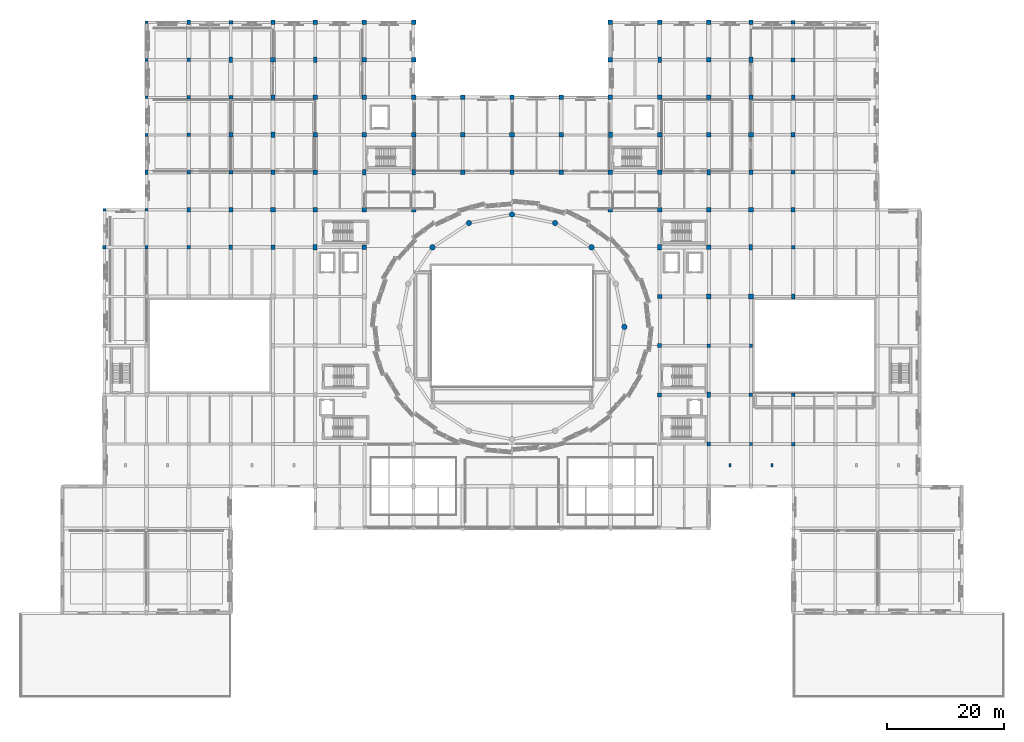
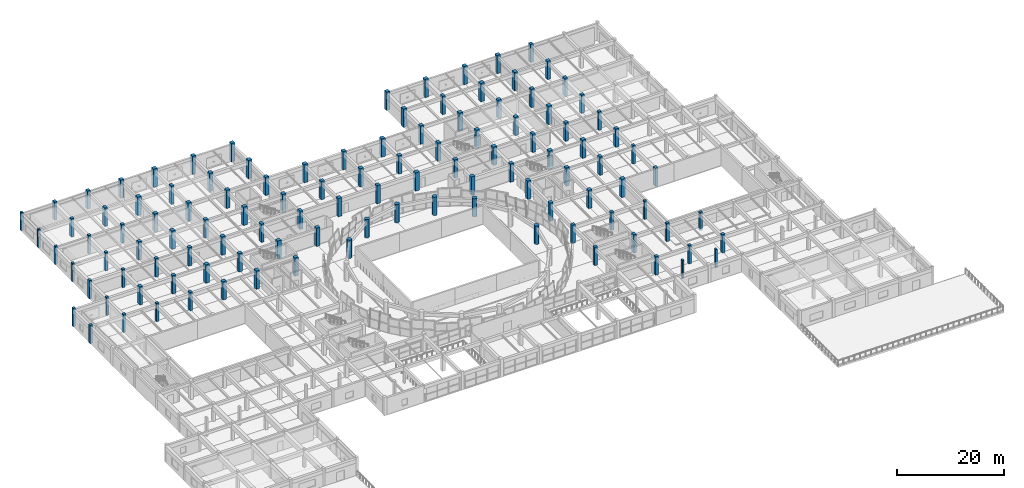
# One storey, part 8 of 71: 115 columns.
"""IFC4 building model written with IfcOpenShell, lengths in metres."""

from ifc_helpers import new_model, si_unit, direction, frame, origin, origin_2d, place, context, subcontext, project, spatial, rectangle, circle, extrude, material, material_profile, profile_set, type_object, element, save


model = new_model("IFC4")

# Units and contexts
model_context = context("Model", 3, precision=1e-05, world=origin(), true_north=direction((0.0, 1.0)))
body_context = subcontext(model_context, "Body", "Model", "MODEL_VIEW")
ifc_project = project(units=[si_unit("LENGTHUNIT", "METRE"), si_unit("AREAUNIT", "SQUARE_METRE"), si_unit("VOLUMEUNIT", "CUBIC_METRE"), si_unit("PLANEANGLEUNIT", "RADIAN"), si_unit("MASSUNIT", "GRAM", prefix="KILO")], contexts=[model_context])

# Site, building, storey
site_placement = place(None, origin())
site = spatial("IfcSite", under=ifc_project, at=site_placement, CompositionType="ELEMENT")
building_placement = place(site_placement, origin())
building = spatial("IfcBuilding", under=site, at=building_placement, Name="Korsvaeld Concert Hall", CompositionType="ELEMENT")
storey_placement = place(building_placement, frame((0.0, 0.0, 4.800048828125)))
storey = spatial("IfcBuildingStorey", under=building, at=storey_placement, Name="L01", CompositionType="ELEMENT", Elevation=4.800048828125)

# Columns
ifc_material = material(Name="Concrete C40/50", Category="concrete")
ifc_material_profile_1 = material_profile(ifc_material, circle(Radius=0.47509765625, at=origin_2d()), Name="RC D950")
ifc_profile_set_1 = profile_set([ifc_material_profile_1], Name="Concrete C40/50")
column_type_1 = type_object("IfcColumnType", Name="COL-DRUM-D950", PredefinedType="COLUMN", material=ifc_profile_set_1)
for number, where, z_axis, x_axis, name in (
    (1, (103.199951171875, 63.199951171875, 0.0), (0.0, 0.0, 1.0), (1.0, 0.0, 0.0), "Drum column D01 L01"),
    (2, (97.576416015625, 76.776611328125, 0.0), (0.0, 0.0, 1.0), (1.0, 0.0, 0.0), "Drum column D03 L01"),
    (3, (91.347412109375, 80.9384765625, 0.0), (0.0, 0.0, 1.0), (1.0, 0.0, 0.0), "Drum column D04 L01"),
    (4, (84.0, 82.39990234375, 0.0), (0.0, 0.0, 1.0), (1.0, 0.0, 0.0), "Drum column D05 L01"),
    (5, (76.652587890625, 80.9384765625, 0.0), (0.0, 0.0, 1.0), (1.0, 0.0, 0.0), "Drum column D06 L01"),
    (6, (70.423583984375, 76.776611328125, 0.0), (0.0, 0.0, 1.0), (1.0, 0.0, 0.0), "Drum column D07 L01"),
):
    element("IfcColumn", number, at=place(storey_placement, frame(where, z_axis=z_axis, x_axis=x_axis)), inside=storey, type_object=column_type_1, Name=name, PredefinedType="COLUMN", context=body_context, shape_type="SweptSolid", body=[
        extrude(circle(Radius=0.47509765625, at=origin_2d()), origin(), (0.0, 0.0, 1.0), 4.199951171875),
    ])
ifc_material_profile_2 = material_profile(ifc_material, rectangle(XDim=0.449951171875, YDim=0.449951171875, at=origin_2d()), Name="RC 450x450")
ifc_profile_set_2 = profile_set([ifc_material_profile_2], Name="Concrete C40/50")
column_type_2 = type_object("IfcColumnType", Name="COL-RC-450x450", PredefinedType="COLUMN", material=ifc_profile_set_2)
for number, where, z_axis, x_axis, name in (
    (7, (21.60009765625, 102.39990234375, 0.0), (0.0, 0.0, 1.0), (1.0, 0.0, 0.0), "Column 4/Q L01"),
    (8, (21.60009765625, 115.199951171875, 0.0), (0.0, 0.0, 1.0), (1.0, 0.0, 0.0), "Column 4/S L01"),
):
    element("IfcColumn", number, at=place(storey_placement, frame(where, z_axis=z_axis, x_axis=x_axis)), inside=storey, type_object=column_type_2, Name=name, PredefinedType="COLUMN", context=body_context, shape_type="SweptSolid", body=[
        extrude(rectangle(XDim=0.449951171875, YDim=0.449951171875, at=origin_2d()), origin(), (0.0, 0.0, 1.0), 4.199951171875),
    ])
ifc_material_profile_3 = material_profile(ifc_material, rectangle(XDim=0.5, YDim=0.5, at=origin_2d()), Name="RC 500x500")
ifc_profile_set_3 = profile_set([ifc_material_profile_3], Name="Concrete C40/50")
column_type_3 = type_object("IfcColumnType", Name="COL-RC-500x500", PredefinedType="COLUMN", material=ifc_profile_set_3)
for number, where, z_axis, x_axis, name in (
    (9, (14.39990234375, 83.199951171875, 0.0), (0.0, 0.0, 1.0), (1.0, 0.0, 0.0), "Column 3/M L01"),
    (10, (21.60009765625, 83.199951171875, 0.0), (0.0, 0.0, 1.0), (1.0, 0.0, 0.0), "Column 4/M L01"),
    (11, (21.60009765625, 96.0, 0.0), (0.0, 0.0, 1.0), (1.0, 0.0, 0.0), "Column 4/P L01"),
    (12, (21.60009765625, 108.800048828125, 0.0), (0.0, 0.0, 1.0), (1.0, 0.0, 0.0), "Column 4/R L01"),
):
    element("IfcColumn", number, at=place(storey_placement, frame(where, z_axis=z_axis, x_axis=x_axis)), inside=storey, type_object=column_type_3, Name=name, PredefinedType="COLUMN", context=body_context, shape_type="SweptSolid", body=[
        extrude(rectangle(XDim=0.5, YDim=0.5, at=origin_2d()), origin(), (0.0, 0.0, 1.0), 4.199951171875),
    ])
ifc_material_profile_4 = material_profile(ifc_material, rectangle(XDim=0.5, YDim=0.699951171875, at=origin_2d()), Name="RC 500x700")
ifc_profile_set_4 = profile_set([ifc_material_profile_4], Name="Concrete C40/50")
column_type_4 = type_object("IfcColumnType", Name="COL-RC-500x700", PredefinedType="COLUMN", material=ifc_profile_set_4)
column_placement = place(storey_placement, frame((21.60009765625, 89.60009765625, 0.0), z_axis=(0.0, 0.0, 1.0), x_axis=(1.0, 0.0, 0.0)))
element("IfcColumn", 13, at=column_placement, inside=storey, type_object=column_type_4, Name="Column 4/N L01", PredefinedType="COLUMN", context=body_context, shape_type="SweptSolid", body=[
    extrude(rectangle(XDim=0.5, YDim=0.699951171875, at=origin_2d()), origin(), (0.0, 0.0, 1.0), 4.199951171875),
])
ifc_material_profile_5 = material_profile(ifc_material, rectangle(XDim=0.550048828125, YDim=0.550048828125, at=origin_2d()), Name="RC 550x550")
ifc_profile_set_5 = profile_set([ifc_material_profile_5], Name="Concrete C40/50")
column_type_5 = type_object("IfcColumnType", Name="COL-RC-550x550", PredefinedType="COLUMN", material=ifc_profile_set_5)
for number, where, z_axis, x_axis, name in (
    (14, (124.800048828125, 43.199951171875, 0.0), (0.0, 0.0, 1.0), (1.0, 0.0, 0.0), "Column 17/G L01"),
    (15, (124.800048828125, 60.0, 0.0), (0.0, 0.0, 1.0), (1.0, 0.0, 0.0), "Column 17/J L01"),
    (16, (132.0, 51.60009765625, 0.0), (0.0, 0.0, 1.0), (1.0, 0.0, 0.0), "Column 18/H L01"),
    (17, (132.0, 76.800048828125, 0.0), (0.0, 0.0, 1.0), (1.0, 0.0, 0.0), "Column 18/L L01"),
    (18, (14.39990234375, 76.800048828125, 0.0), (0.0, 0.0, 1.0), (1.0, 0.0, 0.0), "Column 3/L L01"),
    (19, (21.60009765625, 76.800048828125, 0.0), (0.0, 0.0, 1.0), (1.0, 0.0, 0.0), "Column 4/L L01"),
    (20, (28.800048828125, 76.800048828125, 0.0), (0.0, 0.0, 1.0), (1.0, 0.0, 0.0), "Column 5/L L01"),
    (21, (28.800048828125, 89.60009765625, 0.0), (0.0, 0.0, 1.0), (1.0, 0.0, 0.0), "Column 5/N L01"),
    (22, (28.800048828125, 102.39990234375, 0.0), (0.0, 0.0, 1.0), (1.0, 0.0, 0.0), "Column 5/Q L01"),
):
    element("IfcColumn", number, at=place(storey_placement, frame(where, z_axis=z_axis, x_axis=x_axis)), inside=storey, type_object=column_type_5, Name=name, PredefinedType="COLUMN", context=body_context, shape_type="SweptSolid", body=[
        extrude(rectangle(XDim=0.550048828125, YDim=0.550048828125, at=origin_2d()), origin(), (0.0, 0.0, 1.0), 4.199951171875),
    ])
ifc_material_profile_6 = material_profile(ifc_material, rectangle(XDim=0.550048828125, YDim=0.75, at=origin_2d()), Name="RC 550x750")
ifc_profile_set_6 = profile_set([ifc_material_profile_6], Name="Concrete C40/50")
column_type_6 = type_object("IfcColumnType", Name="COL-RC-550x750", PredefinedType="COLUMN", material=ifc_profile_set_6)
for number, where, z_axis, x_axis, name in (
    (23, (28.800048828125, 115.199951171875, 0.0), (0.0, 0.0, 1.0), (1.0, 0.0, 0.0), "Column 5/S L01"),
    (24, (36.0, 76.800048828125, 0.0), (0.0, 0.0, 1.0), (1.0, 0.0, 0.0), "Column 6/L L01"),
):
    element("IfcColumn", number, at=place(storey_placement, frame(where, z_axis=z_axis, x_axis=x_axis)), inside=storey, type_object=column_type_6, Name=name, PredefinedType="COLUMN", context=body_context, shape_type="SweptSolid", body=[
        extrude(rectangle(XDim=0.550048828125, YDim=0.75, at=origin_2d()), origin(), (0.0, 0.0, 1.0), 4.199951171875),
    ])
ifc_material_profile_7 = material_profile(ifc_material, rectangle(XDim=0.60009765625, YDim=0.60009765625, at=origin_2d()), Name="RC 600x600")
ifc_profile_set_7 = profile_set([ifc_material_profile_7], Name="Concrete C40/50")
column_type_7 = type_object("IfcColumnType", Name="COL-RC-600x600", PredefinedType="COLUMN", material=ifc_profile_set_7)
for number, where, z_axis, x_axis, name in (
    (25, (124.800048828125, 51.60009765625, 0.0), (0.0, 0.0, 1.0), (1.0, 0.0, 0.0), "Column 17/H L01"),
    (26, (132.0, 43.199951171875, 0.0), (0.0, 0.0, 1.0), (1.0, 0.0, 0.0), "Column 18/G L01"),
    (27, (28.800048828125, 96.0, 0.0), (0.0, 0.0, 1.0), (1.0, 0.0, 0.0), "Column 5/P L01"),
    (28, (28.800048828125, 108.800048828125, 0.0), (0.0, 0.0, 1.0), (1.0, 0.0, 0.0), "Column 5/R L01"),
):
    element("IfcColumn", number, at=place(storey_placement, frame(where, z_axis=z_axis, x_axis=x_axis)), inside=storey, type_object=column_type_7, Name=name, PredefinedType="COLUMN", context=body_context, shape_type="SweptSolid", body=[
        extrude(rectangle(XDim=0.60009765625, YDim=0.60009765625, at=origin_2d()), origin(), (0.0, 0.0, 1.0), 4.199951171875),
    ])
ifc_material_profile_8 = material_profile(ifc_material, rectangle(XDim=0.60009765625, YDim=0.800048828125, at=origin_2d()), Name="RC 600x800")
ifc_profile_set_8 = profile_set([ifc_material_profile_8], Name="Concrete C40/50")
column_type_8 = type_object("IfcColumnType", Name="COL-RC-600x800", PredefinedType="COLUMN", material=ifc_profile_set_8)
for number, where, z_axis, x_axis, name in (
    (29, (132.0, 68.39990234375, 0.0), (0.0, 0.0, 1.0), (1.0, 0.0, 0.0), "Column 18/K L01"),
    (30, (132.0, 102.39990234375, 0.0), (0.0, 0.0, 1.0), (1.0, 0.0, 0.0), "Column 18/Q L01"),
    (31, (28.800048828125, 83.199951171875, 0.0), (0.0, 0.0, 1.0), (1.0, 0.0, 0.0), "Column 5/M L01"),
):
    element("IfcColumn", number, at=place(storey_placement, frame(where, z_axis=z_axis, x_axis=x_axis)), inside=storey, type_object=column_type_8, Name=name, PredefinedType="COLUMN", context=body_context, shape_type="SweptSolid", body=[
        extrude(rectangle(XDim=0.60009765625, YDim=0.800048828125, at=origin_2d()), origin(), (0.0, 0.0, 1.0), 4.199951171875),
    ])
ifc_material_profile_9 = material_profile(ifc_material, rectangle(XDim=0.60009765625, YDim=0.89990234375, at=origin_2d()), Name="RC 600x900")
ifc_profile_set_9 = profile_set([ifc_material_profile_9], Name="Concrete C40/50")
column_type_9 = type_object("IfcColumnType", Name="COL-RC-600x900", PredefinedType="COLUMN", material=ifc_profile_set_9)
for number, where, z_axis, x_axis, name in (
    (32, (67.199951171875, 89.60009765625, 0.0), (0.0, 0.0, 1.0), (1.0, 0.0, 0.0), "Column 10/N L01"),
    (33, (109.199951171875, 108.800048828125, 0.0), (0.0, 0.0, 1.0), (1.0, 0.0, 0.0), "Column 15/R L01"),
    (34, (117.60009765625, 51.60009765625, 0.0), (0.0, 0.0, 1.0), (1.0, 0.0, 0.0), "Column 16/H L01"),
    (35, (117.60009765625, 89.60009765625, 0.0), (0.0, 0.0, 1.0), (1.0, 0.0, 0.0), "Column 16/N L01"),
    (36, (124.800048828125, 76.800048828125, 0.0), (0.0, 0.0, 1.0), (1.0, 0.0, 0.0), "Column 17/L L01"),
    (37, (36.0, 108.800048828125, 0.0), (0.0, 0.0, 1.0), (1.0, 0.0, 0.0), "Column 6/R L01"),
    (38, (50.39990234375, 108.800048828125, 0.0), (0.0, 0.0, 1.0), (1.0, 0.0, 0.0), "Column 8/R L01"),
    (39, (58.800048828125, 89.60009765625, 0.0), (0.0, 0.0, 1.0), (1.0, 0.0, 0.0), "Column 9/N L01"),
):
    element("IfcColumn", number, at=place(storey_placement, frame(where, z_axis=z_axis, x_axis=x_axis)), inside=storey, type_object=column_type_9, Name=name, PredefinedType="COLUMN", context=body_context, shape_type="SweptSolid", body=[
        extrude(rectangle(XDim=0.60009765625, YDim=0.89990234375, at=origin_2d()), origin(), (0.0, 0.0, 1.0), 4.199951171875),
    ])
ifc_material_profile_10 = material_profile(ifc_material, rectangle(XDim=0.64990234375, YDim=0.64990234375, at=origin_2d()), Name="RC 650x650")
ifc_profile_set_10 = profile_set([ifc_material_profile_10], Name="Concrete C40/50")
column_type_10 = type_object("IfcColumnType", Name="COL-RC-650x650", PredefinedType="COLUMN", material=ifc_profile_set_10)
for number, where, z_axis, x_axis, name in (
    (40, (109.199951171875, 51.60009765625, 0.0), (0.0, 0.0, 1.0), (1.0, 0.0, 0.0), "Column 15/H L01"),
    (41, (117.60009765625, 43.199951171875, 0.0), (0.0, 0.0, 1.0), (1.0, 0.0, 0.0), "Column 16/G L01"),
    (42, (117.60009765625, 60.0, 0.0), (0.0, 0.0, 1.0), (1.0, 0.0, 0.0), "Column 16/J L01"),
    (43, (132.0, 89.60009765625, 0.0), (0.0, 0.0, 1.0), (1.0, 0.0, 0.0), "Column 18/N L01"),
    (44, (132.0, 115.199951171875, 0.0), (0.0, 0.0, 1.0), (1.0, 0.0, 0.0), "Column 18/S L01"),
    (45, (36.0, 89.60009765625, 0.0), (0.0, 0.0, 1.0), (1.0, 0.0, 0.0), "Column 6/N L01"),
    (46, (36.0, 102.39990234375, 0.0), (0.0, 0.0, 1.0), (1.0, 0.0, 0.0), "Column 6/Q L01"),
    (47, (36.0, 115.199951171875, 0.0), (0.0, 0.0, 1.0), (1.0, 0.0, 0.0), "Column 6/S L01"),
):
    element("IfcColumn", number, at=place(storey_placement, frame(where, z_axis=z_axis, x_axis=x_axis)), inside=storey, type_object=column_type_10, Name=name, PredefinedType="COLUMN", context=body_context, shape_type="SweptSolid", body=[
        extrude(rectangle(XDim=0.64990234375, YDim=0.64990234375, at=origin_2d()), origin(), (0.0, 0.0, 1.0), 4.199951171875),
    ])
ifc_material_profile_11 = material_profile(ifc_material, rectangle(XDim=0.699951171875, YDim=0.699951171875, at=origin_2d()), Name="RC 700x700")
ifc_profile_set_11 = profile_set([ifc_material_profile_11], Name="Concrete C40/50")
column_type_11 = type_object("IfcColumnType", Name="COL-RC-700x700", PredefinedType="COLUMN", material=ifc_profile_set_11)
for number, where, z_axis, x_axis, name in (
    (48, (109.199951171875, 60.0, 0.0), (0.0, 0.0, 1.0), (1.0, 0.0, 0.0), "Column 15/J L01"),
    (49, (132.0, 83.199951171875, 0.0), (0.0, 0.0, 1.0), (1.0, 0.0, 0.0), "Column 18/M L01"),
    (50, (132.0, 96.0, 0.0), (0.0, 0.0, 1.0), (1.0, 0.0, 0.0), "Column 18/P L01"),
    (51, (132.0, 108.800048828125, 0.0), (0.0, 0.0, 1.0), (1.0, 0.0, 0.0), "Column 18/R L01"),
    (52, (36.0, 83.199951171875, 0.0), (0.0, 0.0, 1.0), (1.0, 0.0, 0.0), "Column 6/M L01"),
    (53, (36.0, 96.0, 0.0), (0.0, 0.0, 1.0), (1.0, 0.0, 0.0), "Column 6/P L01"),
):
    element("IfcColumn", number, at=place(storey_placement, frame(where, z_axis=z_axis, x_axis=x_axis)), inside=storey, type_object=column_type_11, Name=name, PredefinedType="COLUMN", context=body_context, shape_type="SweptSolid", body=[
        extrude(rectangle(XDim=0.699951171875, YDim=0.699951171875, at=origin_2d()), origin(), (0.0, 0.0, 1.0), 4.199951171875),
    ])
ifc_material_profile_12 = material_profile(ifc_material, rectangle(XDim=0.699951171875, YDim=0.89990234375, at=origin_2d()), Name="RC 700x900")
ifc_profile_set_12 = profile_set([ifc_material_profile_12], Name="Concrete C40/50")
column_type_12 = type_object("IfcColumnType", Name="COL-RC-700x900", PredefinedType="COLUMN", material=ifc_profile_set_12)
for number, where, z_axis, x_axis, name in (
    (54, (100.800048828125, 96.0, 0.0), (0.0, 0.0, 1.0), (1.0, 0.0, 0.0), "Column 14/P L01"),
    (55, (109.199951171875, 76.800048828125, 0.0), (0.0, 0.0, 1.0), (1.0, 0.0, 0.0), "Column 15/L L01"),
    (56, (124.800048828125, 108.800048828125, 0.0), (0.0, 0.0, 1.0), (1.0, 0.0, 0.0), "Column 17/R L01"),
    (57, (43.199951171875, 96.0, 0.0), (0.0, 0.0, 1.0), (1.0, 0.0, 0.0), "Column 7/P L01"),
    (58, (50.39990234375, 76.800048828125, 0.0), (0.0, 0.0, 1.0), (1.0, 0.0, 0.0), "Column 8/L L01"),
):
    element("IfcColumn", number, at=place(storey_placement, frame(where, z_axis=z_axis, x_axis=x_axis)), inside=storey, type_object=column_type_12, Name=name, PredefinedType="COLUMN", context=body_context, shape_type="SweptSolid", body=[
        extrude(rectangle(XDim=0.699951171875, YDim=0.89990234375, at=origin_2d()), origin(), (0.0, 0.0, 1.0), 4.199951171875),
    ])
ifc_material_profile_13 = material_profile(ifc_material, rectangle(XDim=0.75, YDim=0.75, at=origin_2d()), Name="RC 750x750")
ifc_profile_set_13 = profile_set([ifc_material_profile_13], Name="Concrete C40/50")
column_type_13 = type_object("IfcColumnType", Name="COL-RC-750x750", PredefinedType="COLUMN", material=ifc_profile_set_13)
for number, where, z_axis, x_axis, name in (
    (59, (67.199951171875, 102.39990234375, 0.0), (0.0, 0.0, 1.0), (1.0, 0.0, 0.0), "Column 10/Q L01"),
    (60, (67.199951171875, 115.199951171875, 0.0), (0.0, 0.0, 1.0), (1.0, 0.0, 0.0), "Column 10/S L01"),
    (61, (75.60009765625, 96.0, 0.0), (0.0, 0.0, 1.0), (1.0, 0.0, 0.0), "Column 11/P L01"),
    (62, (84.0, 89.60009765625, 0.0), (0.0, 0.0, 1.0), (1.0, 0.0, 0.0), "Column 12/N L01"),
    (63, (84.0, 102.39990234375, 0.0), (0.0, 0.0, 1.0), (1.0, 0.0, 0.0), "Column 12/Q L01"),
    (64, (92.39990234375, 96.0, 0.0), (0.0, 0.0, 1.0), (1.0, 0.0, 0.0), "Column 13/P L01"),
    (65, (100.800048828125, 89.60009765625, 0.0), (0.0, 0.0, 1.0), (1.0, 0.0, 0.0), "Column 14/N L01"),
    (66, (100.800048828125, 102.39990234375, 0.0), (0.0, 0.0, 1.0), (1.0, 0.0, 0.0), "Column 14/Q L01"),
    (67, (100.800048828125, 115.199951171875, 0.0), (0.0, 0.0, 1.0), (1.0, 0.0, 0.0), "Column 14/S L01"),
    (68, (109.199951171875, 68.39990234375, 0.0), (0.0, 0.0, 1.0), (1.0, 0.0, 0.0), "Column 15/K L01"),
    (69, (109.199951171875, 83.199951171875, 0.0), (0.0, 0.0, 1.0), (1.0, 0.0, 0.0), "Column 15/M L01"),
    (70, (109.199951171875, 96.0, 0.0), (0.0, 0.0, 1.0), (1.0, 0.0, 0.0), "Column 15/P L01"),
    (71, (117.60009765625, 76.800048828125, 0.0), (0.0, 0.0, 1.0), (1.0, 0.0, 0.0), "Column 16/L L01"),
    (72, (117.60009765625, 102.39990234375, 0.0), (0.0, 0.0, 1.0), (1.0, 0.0, 0.0), "Column 16/Q L01"),
    (73, (117.60009765625, 115.199951171875, 0.0), (0.0, 0.0, 1.0), (1.0, 0.0, 0.0), "Column 16/S L01"),
    (74, (124.800048828125, 89.60009765625, 0.0), (0.0, 0.0, 1.0), (1.0, 0.0, 0.0), "Column 17/N L01"),
    (75, (124.800048828125, 102.39990234375, 0.0), (0.0, 0.0, 1.0), (1.0, 0.0, 0.0), "Column 17/Q L01"),
    (76, (124.800048828125, 115.199951171875, 0.0), (0.0, 0.0, 1.0), (1.0, 0.0, 0.0), "Column 17/S L01"),
    (77, (43.199951171875, 76.800048828125, 0.0), (0.0, 0.0, 1.0), (1.0, 0.0, 0.0), "Column 7/L L01"),
    (78, (43.199951171875, 89.60009765625, 0.0), (0.0, 0.0, 1.0), (1.0, 0.0, 0.0), "Column 7/N L01"),
    (79, (43.199951171875, 102.39990234375, 0.0), (0.0, 0.0, 1.0), (1.0, 0.0, 0.0), "Column 7/Q L01"),
    (80, (43.199951171875, 115.199951171875, 0.0), (0.0, 0.0, 1.0), (1.0, 0.0, 0.0), "Column 7/S L01"),
    (81, (50.39990234375, 83.199951171875, 0.0), (0.0, 0.0, 1.0), (1.0, 0.0, 0.0), "Column 8/M L01"),
    (82, (50.39990234375, 96.0, 0.0), (0.0, 0.0, 1.0), (1.0, 0.0, 0.0), "Column 8/P L01"),
    (83, (58.800048828125, 76.800048828125, 0.0), (0.0, 0.0, 1.0), (1.0, 0.0, 0.0), "Column 9/L L01"),
    (84, (58.800048828125, 102.39990234375, 0.0), (0.0, 0.0, 1.0), (1.0, 0.0, 0.0), "Column 9/Q L01"),
    (85, (58.800048828125, 115.199951171875, 0.0), (0.0, 0.0, 1.0), (1.0, 0.0, 0.0), "Column 9/S L01"),
):
    element("IfcColumn", number, at=place(storey_placement, frame(where, z_axis=z_axis, x_axis=x_axis)), inside=storey, type_object=column_type_13, Name=name, PredefinedType="COLUMN", context=body_context, shape_type="SweptSolid", body=[
        extrude(rectangle(XDim=0.75, YDim=0.75, at=origin_2d()), origin(), (0.0, 0.0, 1.0), 4.199951171875),
    ])
ifc_material_profile_14 = material_profile(ifc_material, rectangle(XDim=0.800048828125, YDim=0.800048828125, at=origin_2d()), Name="RC 800x800")
ifc_profile_set_14 = profile_set([ifc_material_profile_14], Name="Concrete C40/50")
column_type_14 = type_object("IfcColumnType", Name="COL-RC-800x800", PredefinedType="COLUMN", material=ifc_profile_set_14)
for number, where, z_axis, x_axis, name in (
    (86, (67.199951171875, 83.199951171875, 0.0), (0.0, 0.0, 1.0), (1.0, 0.0, 0.0), "Column 10/M L01"),
    (87, (67.199951171875, 96.0, 0.0), (0.0, 0.0, 1.0), (1.0, 0.0, 0.0), "Column 10/P L01"),
    (88, (67.199951171875, 108.800048828125, 0.0), (0.0, 0.0, 1.0), (1.0, 0.0, 0.0), "Column 10/R L01"),
    (89, (75.60009765625, 89.60009765625, 0.0), (0.0, 0.0, 1.0), (1.0, 0.0, 0.0), "Column 11/N L01"),
    (90, (75.60009765625, 102.39990234375, 0.0), (0.0, 0.0, 1.0), (1.0, 0.0, 0.0), "Column 11/Q L01"),
    (91, (84.0, 96.0, 0.0), (0.0, 0.0, 1.0), (1.0, 0.0, 0.0), "Column 12/P L01"),
    (92, (92.39990234375, 89.60009765625, 0.0), (0.0, 0.0, 1.0), (1.0, 0.0, 0.0), "Column 13/N L01"),
    (93, (92.39990234375, 102.39990234375, 0.0), (0.0, 0.0, 1.0), (1.0, 0.0, 0.0), "Column 13/Q L01"),
    (94, (100.800048828125, 83.199951171875, 0.0), (0.0, 0.0, 1.0), (1.0, 0.0, 0.0), "Column 14/M L01"),
    (95, (100.800048828125, 108.800048828125, 0.0), (0.0, 0.0, 1.0), (1.0, 0.0, 0.0), "Column 14/R L01"),
    (96, (109.199951171875, 89.60009765625, 0.0), (0.0, 0.0, 1.0), (1.0, 0.0, 0.0), "Column 15/N L01"),
    (97, (109.199951171875, 102.39990234375, 0.0), (0.0, 0.0, 1.0), (1.0, 0.0, 0.0), "Column 15/Q L01"),
    (98, (109.199951171875, 115.199951171875, 0.0), (0.0, 0.0, 1.0), (1.0, 0.0, 0.0), "Column 15/S L01"),
    (99, (117.60009765625, 68.39990234375, 0.0), (0.0, 0.0, 1.0), (1.0, 0.0, 0.0), "Column 16/K L01"),
    (100, (117.60009765625, 83.199951171875, 0.0), (0.0, 0.0, 1.0), (1.0, 0.0, 0.0), "Column 16/M L01"),
    (101, (117.60009765625, 96.0, 0.0), (0.0, 0.0, 1.0), (1.0, 0.0, 0.0), "Column 16/P L01"),
    (102, (117.60009765625, 108.800048828125, 0.0), (0.0, 0.0, 1.0), (1.0, 0.0, 0.0), "Column 16/R L01"),
    (103, (124.800048828125, 68.39990234375, 0.0), (0.0, 0.0, 1.0), (1.0, 0.0, 0.0), "Column 17/K L01"),
    (104, (124.800048828125, 83.199951171875, 0.0), (0.0, 0.0, 1.0), (1.0, 0.0, 0.0), "Column 17/M L01"),
    (105, (124.800048828125, 96.0, 0.0), (0.0, 0.0, 1.0), (1.0, 0.0, 0.0), "Column 17/P L01"),
    (106, (43.199951171875, 83.199951171875, 0.0), (0.0, 0.0, 1.0), (1.0, 0.0, 0.0), "Column 7/M L01"),
    (107, (43.199951171875, 108.800048828125, 0.0), (0.0, 0.0, 1.0), (1.0, 0.0, 0.0), "Column 7/R L01"),
    (108, (50.39990234375, 89.60009765625, 0.0), (0.0, 0.0, 1.0), (1.0, 0.0, 0.0), "Column 8/N L01"),
    (109, (50.39990234375, 102.39990234375, 0.0), (0.0, 0.0, 1.0), (1.0, 0.0, 0.0), "Column 8/Q L01"),
    (110, (50.39990234375, 115.199951171875, 0.0), (0.0, 0.0, 1.0), (1.0, 0.0, 0.0), "Column 8/S L01"),
    (111, (58.800048828125, 83.199951171875, 0.0), (0.0, 0.0, 1.0), (1.0, 0.0, 0.0), "Column 9/M L01"),
    (112, (58.800048828125, 96.0, 0.0), (0.0, 0.0, 1.0), (1.0, 0.0, 0.0), "Column 9/P L01"),
    (113, (58.800048828125, 108.800048828125, 0.0), (0.0, 0.0, 1.0), (1.0, 0.0, 0.0), "Column 9/R L01"),
):
    element("IfcColumn", number, at=place(storey_placement, frame(where, z_axis=z_axis, x_axis=x_axis)), inside=storey, type_object=column_type_14, Name=name, PredefinedType="COLUMN", context=body_context, shape_type="SweptSolid", body=[
        extrude(rectangle(XDim=0.800048828125, YDim=0.800048828125, at=origin_2d()), origin(), (0.0, 0.0, 1.0), 4.199951171875),
    ])
ifc_material_profile_15 = material_profile(ifc_material, rectangle(XDim=0.35009765625, YDim=0.550048828125, at=origin_2d()), Name="RC 350x550")
ifc_profile_set_15 = profile_set([ifc_material_profile_15], Name="Concrete C40/50")
column_type_15 = type_object("IfcColumnType", Name="PIL-RC-350x550", PredefinedType="PILASTER", material=ifc_profile_set_15)
for number, where, z_axis, x_axis, name in (
    (114, (121.199951171875, 39.60009765625, 0.0), (0.0, 0.0, 1.0), (1.0, 0.0, 0.0), "Colonnade pilaster PL-05 L01"),
    (115, (128.39990234375, 39.60009765625, 0.0), (0.0, 0.0, 1.0), (1.0, 0.0, 0.0), "Colonnade pilaster PL-06 L01"),
):
    element("IfcColumn", number, at=place(storey_placement, frame(where, z_axis=z_axis, x_axis=x_axis)), inside=storey, type_object=column_type_15, Name=name, PredefinedType="PILASTER", context=body_context, shape_type="SweptSolid", body=[
        extrude(rectangle(XDim=0.35009765625, YDim=0.550048828125, at=origin_2d()), origin(), (0.0, 0.0, 1.0), 4.199951171875),
    ])

save(model, "model.ifc")
